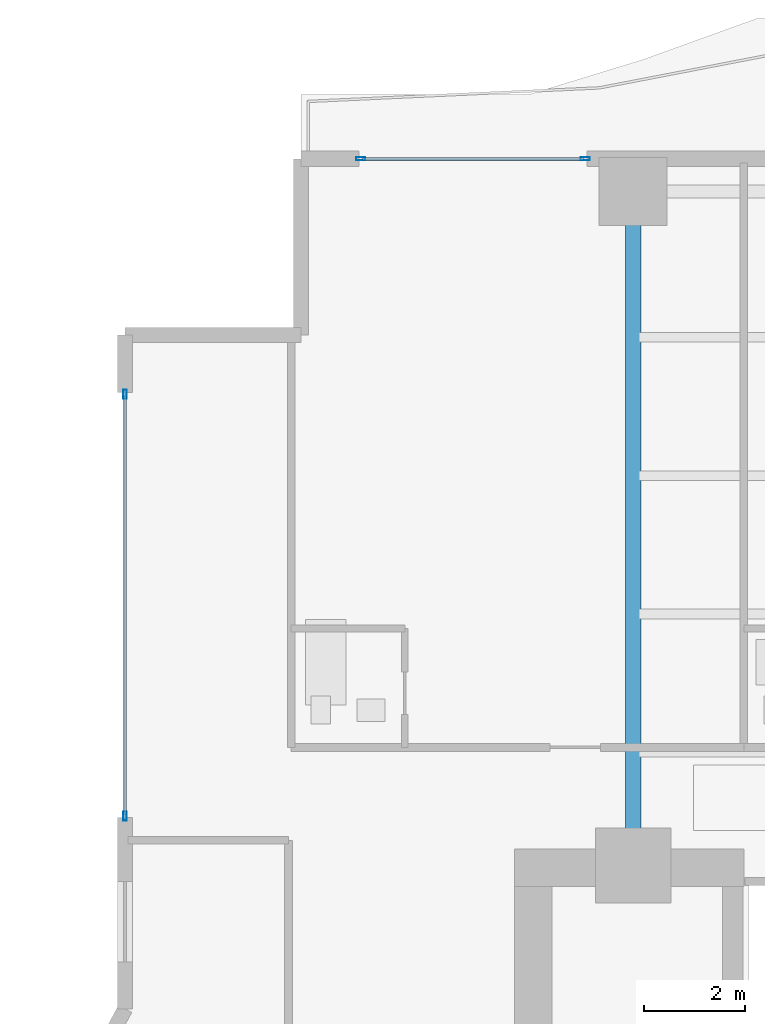
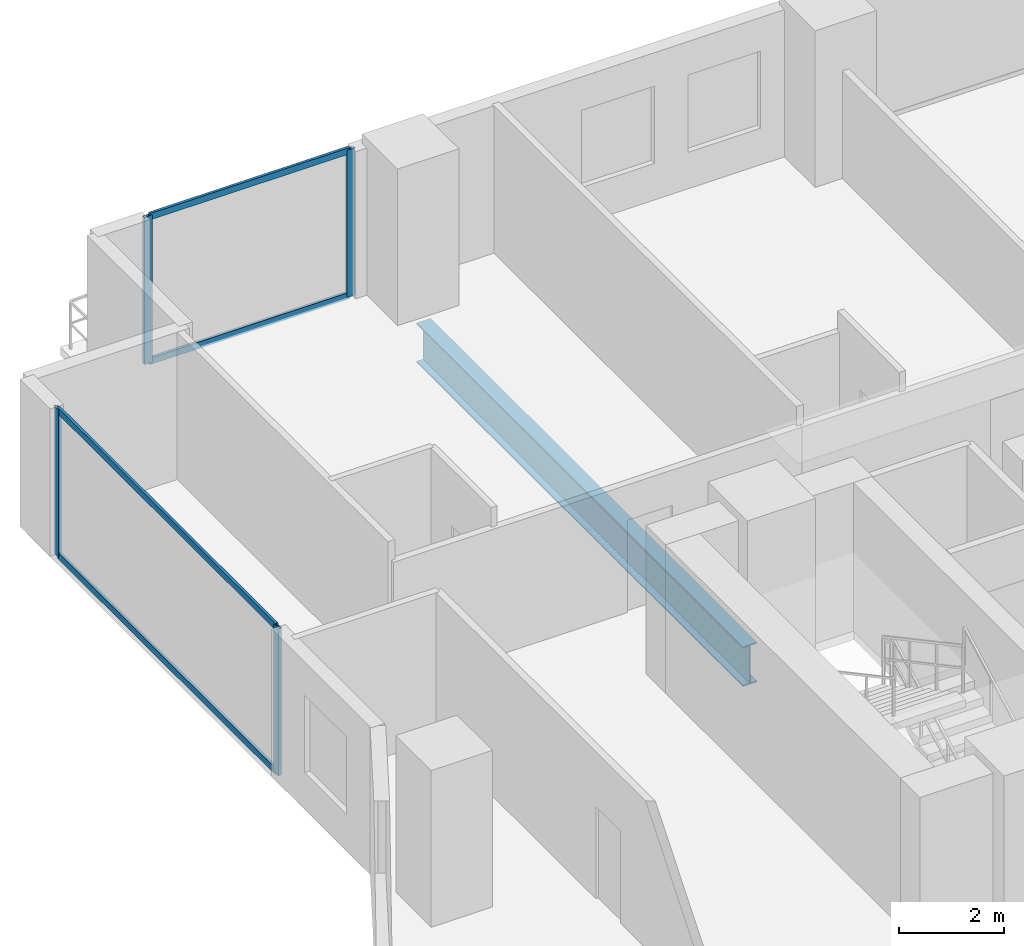
# One storey, part 14 of 27: 8 members, 1 beam, 2 elements without a shape of their own.
"""IFC4 building model written with IfcOpenShell, lengths in metres."""

import ifcopenshell
import ifcopenshell.guid

model = None  # the IFC model being written
_history = None  # IfcOwnerHistory: only IFC2X3 demands one
_inside = {}  # id of a spatial element -> (the spatial element, [elements in it])
_under = {}  # id of a project, library or spatial element -> (it, [spatial elements below it])
_declared = {}  # id of a project -> (the project, [libraries it declares])
_typed = {}  # id of a type object -> (the type object, [elements of that type])
_made_of = {}  # id of a material, layer set ... -> (it, [elements and type objects made of it])


def new_model(schema):
    """Start an empty IFC model of exactly this schema.

    Asked for "IFC4X3", IfcOpenShell would pick the latest addendum, in which some entities
    have other attributes; the version numbers below select the first issue.
    IFC2X3 requires an IfcOwnerHistory on every rooted entity: one is made here for all.
    """
    global model, _history
    if schema == "IFC4X3":
        model = ifcopenshell.file(schema_version=(4, 3, 0, 0))
    else:
        model = ifcopenshell.file(schema=schema)
    _inside.clear()
    _under.clear()
    _declared.clear()
    _typed.clear()
    _made_of.clear()
    _history = None
    if model.schema == "IFC2X3":
        org = make("IfcOrganization", Name="unknown")
        user = make(
            "IfcPersonAndOrganization",
            ThePerson=make("IfcPerson", FamilyName="unknown"),
            TheOrganization=org,
        )
        app = make(
            "IfcApplication",
            ApplicationDeveloper=org,
            Version="unknown",
            ApplicationFullName="unknown",
            ApplicationIdentifier="unknown",
        )
        _history = make(
            "IfcOwnerHistory",
            OwningUser=user,
            OwningApplication=app,
            ChangeAction="ADDED",
            CreationDate=0,
        )
    return model


def make(cls, **values):
    """One entity of the class cls with the attributes given. An attribute that is None is left unset."""
    return model.create_entity(
        cls, **{name: value for name, value in values.items() if value is not None}
    )


def rooted(cls, **values):
    """An entity with a GlobalId (a new one), such as an element, a storey or a relation."""
    return make(cls, GlobalId=ifcopenshell.guid.new(), OwnerHistory=_history, **values)


def si_unit(unit_type, name, prefix=None):
    """IfcSIUnit, for example si_unit("LENGTHUNIT", "METRE", prefix="MILLI")."""
    return make("IfcSIUnit", UnitType=unit_type, Prefix=prefix, Name=name)


def assignment(units):
    """IfcUnitAssignment: the units of a project."""
    return None if units is None else make("IfcUnitAssignment", Units=units)


def point(xyz):
    """IfcCartesianPoint."""
    return None if xyz is None else make("IfcCartesianPoint", Coordinates=xyz)


def direction(xyz):
    """IfcDirection."""
    return None if xyz is None else make("IfcDirection", DirectionRatios=xyz)


def frame(location, z_axis=None, x_axis=None):
    """IfcAxis2Placement3D, a coordinate frame: its origin and axes. An axis left out is left unset."""
    return make(
        "IfcAxis2Placement3D",
        Location=point(location),
        Axis=direction(z_axis),
        RefDirection=direction(x_axis),
    )


def frame_2d(location, x_axis=None):
    """IfcAxis2Placement2D, a coordinate frame in the plane: its origin and x axis."""
    return make(
        "IfcAxis2Placement2D", Location=point(location), RefDirection=direction(x_axis)
    )


def origin():
    """The frame at (0, 0, 0) with its axes left unset."""
    return frame((0.0, 0.0, 0.0))


def origin_2d():
    """The frame at (0, 0) in the plane with its x axis left unset."""
    return frame_2d((0.0, 0.0))


def place(relative_to, where):
    """IfcLocalPlacement: puts the frame where relative to a parent placement (None: the world)."""
    return make(
        "IfcLocalPlacement", PlacementRelTo=relative_to, RelativePlacement=where
    )


def context(
    kind, dimensions, precision=None, world=None, true_north=None, identifier=None
):
    """IfcGeometricRepresentationContext, for example the 3D "Model" context."""
    return make(
        "IfcGeometricRepresentationContext",
        ContextIdentifier=identifier,
        ContextType=kind,
        CoordinateSpaceDimension=dimensions,
        Precision=precision,
        WorldCoordinateSystem=world,
        TrueNorth=true_north,
    )


def subcontext(parent, identifier, kind, view, scale=None):
    """IfcGeometricRepresentationSubContext, for example "Body" below "Model"."""
    return make(
        "IfcGeometricRepresentationSubContext",
        ContextIdentifier=identifier,
        ContextType=kind,
        ParentContext=parent,
        TargetScale=scale,
        TargetView=view,
    )


def project(units=None, contexts=None):
    """IfcProject with its units and contexts."""
    return rooted(
        "IfcProject",
        Name="project",
        RepresentationContexts=contexts,
        UnitsInContext=assignment(units),
    )


def spatial(cls, under=None, at=None, **own):
    """A site, building, storey or space (cls), placed at a placement, below another one or the project."""
    s = rooted(cls, ObjectPlacement=at, **own)
    if under is not None:
        _under.setdefault(under.id(), (under, []))[1].append(s)
    return s


def profile(cls, at=None, kind="AREA", **sizes):
    """A parametric profile (cls). Its sizes go by their IFC names, for example OverallWidth=200.0."""
    return make(cls, ProfileType=kind, Position=at, **sizes)


def hollow_rectangle(**sizes):
    """IfcRectangleHollowProfileDef."""
    return profile("IfcRectangleHollowProfileDef", **sizes)


def i_section(**sizes):
    """IfcIShapeProfileDef."""
    return profile("IfcIShapeProfileDef", **sizes)


def extrude(swept, where, along, depth):
    """IfcExtrudedAreaSolid: the profile swept, set in the frame where, extruded along a direction by depth."""
    return make(
        "IfcExtrudedAreaSolid",
        SweptArea=swept,
        Position=where,
        ExtrudedDirection=direction(along),
        Depth=depth,
    )


def shape(context_of_items, identifier, shape_type, items):
    """IfcShapeRepresentation: the items that make up one representation, for example the "Body"."""
    return make(
        "IfcShapeRepresentation",
        ContextOfItems=context_of_items,
        RepresentationIdentifier=identifier,
        RepresentationType=shape_type,
        Items=items,
    )


def material(Name=None, Category=None):
    """IfcMaterial."""
    return make("IfcMaterial", Name=Name, Category=Category)


def layer(
    of_material, thickness, ventilated=None, Name=None, Category=None, Priority=None
):
    """IfcMaterialLayer: one layer of a wall or slab, of a material (None: an air gap)."""
    return make(
        "IfcMaterialLayer",
        Material=of_material,
        LayerThickness=thickness,
        IsVentilated=ventilated,
        Name=Name,
        Category=Category,
        Priority=Priority,
    )


def layer_set(layers, Name=None):
    """IfcMaterialLayerSet."""
    return make("IfcMaterialLayerSet", MaterialLayers=layers, LayerSetName=Name)


def material_profile(
    of_material, cross_section, Name=None, Category=None, Priority=None
):
    """IfcMaterialProfile: a cross section and its material."""
    return make(
        "IfcMaterialProfile",
        Name=Name,
        Material=of_material,
        Profile=cross_section,
        Priority=Priority,
        Category=Category,
    )


def profile_set(profiles, Name=None, composite=None):
    """IfcMaterialProfileSet."""
    return make(
        "IfcMaterialProfileSet",
        Name=Name,
        MaterialProfiles=profiles,
        CompositeProfile=composite,
    )


def made_of(thing, what):
    """Note that an element or type object is made of a material, layer set ...; save() writes the relation."""
    if what is not None:
        _made_of.setdefault(what.id(), (what, []))[1].append(thing)
    return thing


def type_object(cls, material=None, **own):
    """A type object (cls), such as IfcWallType, which elements share."""
    return made_of(rooted(cls, **own), material)


def element(
    cls,
    number,
    at=None,
    inside=None,
    cuts=None,
    type_object=None,
    material=None,
    context=None,
    identifier="Body",
    shape_type=None,
    held_by="IfcProductDefinitionShape",
    body=None,
    shapes=None,
    **own,
):
    """One element of the class cls, such as IfcWall. Its Tag is "e" and its number.

    at: its placement. inside: the storey or other place that contains it. cuts: it is an
    opening in that element (IfcRelVoidsElement). A single representation is given by context,
    identifier, shape_type and body (its items); several are given by shapes. held_by: the class
    of the entity that holds the representations. save() writes the other relations.
    """
    e = rooted(cls, Tag="e%d" % number, ObjectPlacement=at, **own)
    if body is not None:
        shapes = [shape(context, identifier, shape_type, body)]
    if shapes is not None:
        e.Representation = make(held_by, Representations=shapes)
    if inside is not None:
        _inside.setdefault(inside.id(), (inside, []))[1].append(e)
    if cuts is not None:
        rooted(
            "IfcRelVoidsElement", RelatingBuildingElement=cuts, RelatedOpeningElement=e
        )
    if type_object is not None:
        _typed.setdefault(type_object.id(), (type_object, []))[1].append(e)
    return made_of(e, material)


def aggregate(whole, parts):
    """IfcRelAggregates: a whole, such as a stair, and the parts it consists of."""
    return rooted("IfcRelAggregates", RelatingObject=whole, RelatedObjects=parts)


def save(model, path):
    """Write the relations noted so far, then the file.

    IfcRelAggregates (storeys below a building ...), IfcRelContainedInSpatialStructure (elements
    in a storey), IfcRelDefinesByType, IfcRelAssociatesMaterial and IfcRelDeclares: one each for
    every whole, place, type object, material and project.
    """
    for whole, parts in _under.values():
        aggregate(whole, parts)
    for where, things in _inside.values():
        rooted(
            "IfcRelContainedInSpatialStructure",
            RelatedElements=things,
            RelatingStructure=where,
        )
    for kind, things in _typed.values():
        rooted("IfcRelDefinesByType", RelatedObjects=things, RelatingType=kind)
    for what, things in _made_of.values():
        rooted("IfcRelAssociatesMaterial", RelatedObjects=things, RelatingMaterial=what)
    for by, libraries in _declared.values():
        rooted("IfcRelDeclares", RelatingContext=by, RelatedDefinitions=libraries)
    model.write(path)


model = new_model("IFC4")

# Units and contexts
model_context = context("Model", 3, precision=1e-05, world=origin(), true_north=direction((0.0, 1.0)))
body_context = subcontext(model_context, "Body", "Model", "MODEL_VIEW")
ifc_project = project(units=[si_unit("LENGTHUNIT", "METRE"), si_unit("AREAUNIT", "SQUARE_METRE"), si_unit("VOLUMEUNIT", "CUBIC_METRE"), si_unit("PLANEANGLEUNIT", "RADIAN"), si_unit("MASSUNIT", "GRAM", prefix="KILO")], contexts=[model_context])

# Site, building, storey
site_placement = place(None, origin())
site = spatial("IfcSite", under=ifc_project, at=site_placement, CompositionType="ELEMENT")
building_placement = place(site_placement, origin())
building = spatial("IfcBuilding", under=site, at=building_placement, Name="Zuhayl Quay Hotel", CompositionType="ELEMENT")
storey_placement = place(building_placement, frame((0.0, 0.0, 124.85009765625)))
storey = spatial("IfcBuildingStorey", under=building, at=storey_placement, Name="L31", CompositionType="ELEMENT", Elevation=124.85009765625)

# Beam
ifc_material_1 = material(Name="Steel ASTM A992 Grade 50", Category="steel")
ifc_material_profile_1 = material_profile(ifc_material_1, i_section(OverallWidth=0.306884765625, OverallDepth=0.927001953125, WebThickness=0.019287109375, FlangeThickness=0.031982421875, at=origin_2d()), Name="W36X194")
ifc_profile_set_1 = profile_set([ifc_material_profile_1], Name="Steel ASTM A992 Grade 50")
beam_type = type_object("IfcBeamType", Name="BM_PG2_W36X194", PredefinedType="BEAM", material=ifc_profile_set_1)
beam_placement = place(storey_placement, frame((-13.800048828125, 14.800048828125, -0.68359375), z_axis=(0.0, 1.0, 0.0), x_axis=(-1.0, 0.0, 0.0)))
element("IfcBeam", 1, at=beam_placement, inside=storey, type_object=beam_type, Name="L31 Floor Beam FG_N_L31_1", PredefinedType="BEAM", context=body_context, shape_type="SweptSolid", body=[
    extrude(i_section(OverallWidth=0.306884765625, OverallDepth=0.927001953125, WebThickness=0.019287109375, FlangeThickness=0.031982421875, at=origin_2d()), origin(), (0.0, 0.0, 1.0), 12.449951171875),
])

# Curtain wall, members
ifc_material_2 = material(Name="Anodised Aluminium 6063-T6", Category="aluminium")
ifc_layer = layer(ifc_material_2, 0.179931640625, Name="Anodised Aluminium 6063-T6", Category="aluminium")
ifc_layer_set = layer_set([ifc_layer], Name="Anodised Aluminium 6063-T6")
curtain_wall_type = type_object("IfcCurtainWallType", Name="CW_SYS_Z2", PredefinedType="USERDEFINED", material=ifc_layer_set)
curtain_wall_1_placement = place(storey_placement, origin())
curtain_wall_1 = element("IfcCurtainWall", 2, at=curtain_wall_1_placement, inside=storey, type_object=curtain_wall_type, Name="L31 Curtain Wall ENV_L31_E05_CW1", ObjectType="UNITISED CURTAIN WALL", PredefinedType="USERDEFINED")
ifc_material_3 = material(Name="Black-anodised aluminium 6063-T6", Category="aluminium")
ifc_material_profile_2 = material_profile(ifc_material_3, hollow_rectangle(XDim=0.06494140625, YDim=0.179931640625, WallThickness=0.00341796875, at=origin_2d()), Name="ALU180X65")
ifc_profile_set_2 = profile_set([ifc_material_profile_2], Name="Black-anodised aluminium 6063-T6")
member_type_1 = type_object("IfcMemberType", Name="MB_CW_MUL_180", PredefinedType="MULLION", material=ifc_profile_set_2)
member_1_placement = place(storey_placement, frame((-23.89990234375, 15.33251953125, 0.0), z_axis=(0.0, 0.0, 1.0), x_axis=(-1.0, 0.0, 0.0)))
member_1 = element("IfcMember", 3, at=member_1_placement, type_object=member_type_1, Name="CW-Z2 mullion 1", PredefinedType="MULLION", context=body_context, shape_type="SweptSolid", body=[
    extrude(hollow_rectangle(XDim=0.06494140625, YDim=0.179931640625, WallThickness=0.00341796875, at=origin_2d()), origin(), (0.0, 0.0, 1.0), 3.429931640625),
])
member_2_placement = place(storey_placement, frame((-23.89990234375, 23.717529296875, 0.0), z_axis=(0.0, 0.0, 1.0), x_axis=(-1.0, 0.0, 0.0)))
member_2 = element("IfcMember", 4, at=member_2_placement, type_object=member_type_1, Name="CW-Z2 mullion 2", PredefinedType="MULLION", context=body_context, shape_type="SweptSolid", body=[
    extrude(hollow_rectangle(XDim=0.06494140625, YDim=0.179931640625, WallThickness=0.00341796875, at=origin_2d()), origin(), (0.0, 0.0, 1.0), 3.429931640625),
])

curtain_wall_2_placement = place(storey_placement, origin())
curtain_wall_2 = element("IfcCurtainWall", 5, at=curtain_wall_2_placement, inside=storey, type_object=curtain_wall_type, Name="L31 Curtain Wall ENV_L31_N_CW1", ObjectType="UNITISED CURTAIN WALL", PredefinedType="USERDEFINED")
member_3_placement = place(storey_placement, frame((-19.217529296875, 28.39990234375, 0.0), z_axis=(0.0, 0.0, 1.0), x_axis=(0.0, 1.0, 0.0)))
member_3 = element("IfcMember", 6, at=member_3_placement, type_object=member_type_1, Name="CW-Z2 mullion 1", PredefinedType="MULLION", context=body_context, shape_type="SweptSolid", body=[
    extrude(hollow_rectangle(XDim=0.06494140625, YDim=0.179931640625, WallThickness=0.00341796875, at=origin_2d()), origin(), (0.0, 0.0, 1.0), 3.429931640625),
])
member_4_placement = place(storey_placement, frame((-14.75244140625, 28.39990234375, 0.0), z_axis=(0.0, 0.0, 1.0), x_axis=(0.0, 1.0, 0.0)))
member_4 = element("IfcMember", 7, at=member_4_placement, type_object=member_type_1, Name="CW-Z2 mullion 2", PredefinedType="MULLION", context=body_context, shape_type="SweptSolid", body=[
    extrude(hollow_rectangle(XDim=0.06494140625, YDim=0.179931640625, WallThickness=0.00341796875, at=origin_2d()), origin(), (0.0, 0.0, 1.0), 3.429931640625),
])

# Member
ifc_material_profile_3 = material_profile(ifc_material_3, hollow_rectangle(XDim=0.06005859375, YDim=0.14990234375, WallThickness=0.00341796875, at=origin_2d()), Name="ALU150X60")
ifc_profile_set_3 = profile_set([ifc_material_profile_3], Name="Black-anodised aluminium 6063-T6")
member_type_2 = type_object("IfcMemberType", Name="MB_CW_TRN_150", PredefinedType="USERDEFINED", material=ifc_profile_set_3)
member_5_placement = place(storey_placement, frame((-23.89990234375, 15.364990234375, 0.02978515625), z_axis=(0.0, 1.0, 0.0), x_axis=(-1.0, 0.0, 0.0)))
member_5 = element("IfcMember", 8, at=member_5_placement, type_object=member_type_2, Name="CW-Z2 transom 1.1", ObjectType="TRANSOM", PredefinedType="USERDEFINED", context=body_context, shape_type="SweptSolid", body=[
    extrude(hollow_rectangle(XDim=0.06005859375, YDim=0.14990234375, WallThickness=0.00341796875, at=origin_2d()), origin(), (0.0, 0.0, 1.0), 8.320068359375),
])

member_6_placement = place(storey_placement, frame((-23.89990234375, 15.364990234375, 3.39990234375), z_axis=(0.0, 1.0, 0.0), x_axis=(-1.0, 0.0, 0.0)))
member_6 = element("IfcMember", 9, at=member_6_placement, type_object=member_type_2, Name="CW-Z2 transom 1.2", ObjectType="TRANSOM", PredefinedType="USERDEFINED", context=body_context, shape_type="SweptSolid", body=[
    extrude(hollow_rectangle(XDim=0.06005859375, YDim=0.14990234375, WallThickness=0.00341796875, at=origin_2d()), origin(), (0.0, 0.0, 1.0), 8.320068359375),
])

aggregate(curtain_wall_1, [member_1, member_2, member_5, member_6])

member_7_placement = place(storey_placement, frame((-19.18505859375, 28.39990234375, 0.02978515625), z_axis=(1.0, 0.0, 0.0), x_axis=(0.0, 1.0, 0.0)))
member_7 = element("IfcMember", 10, at=member_7_placement, type_object=member_type_2, Name="CW-Z2 transom 1.1", ObjectType="TRANSOM", PredefinedType="USERDEFINED", context=body_context, shape_type="SweptSolid", body=[
    extrude(hollow_rectangle(XDim=0.06005859375, YDim=0.14990234375, WallThickness=0.00341796875, at=origin_2d()), origin(), (0.0, 0.0, 1.0), 4.400146484375),
])

member_8_placement = place(storey_placement, frame((-19.18505859375, 28.39990234375, 3.39990234375), z_axis=(1.0, 0.0, 0.0), x_axis=(0.0, 1.0, 0.0)))
member_8 = element("IfcMember", 11, at=member_8_placement, type_object=member_type_2, Name="CW-Z2 transom 1.2", ObjectType="TRANSOM", PredefinedType="USERDEFINED", context=body_context, shape_type="SweptSolid", body=[
    extrude(hollow_rectangle(XDim=0.06005859375, YDim=0.14990234375, WallThickness=0.00341796875, at=origin_2d()), origin(), (0.0, 0.0, 1.0), 4.400146484375),
])

aggregate(curtain_wall_2, [member_3, member_4, member_7, member_8])

save(model, "model.ifc")
